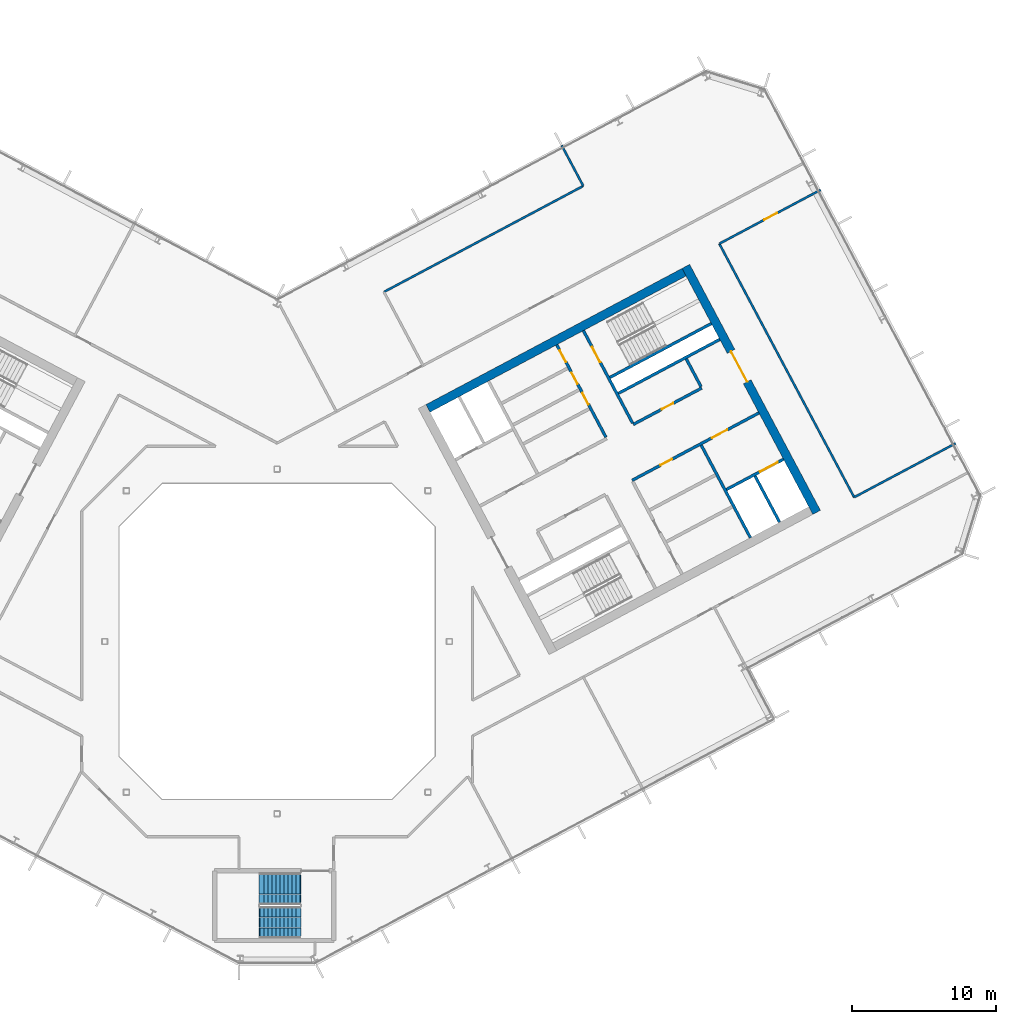
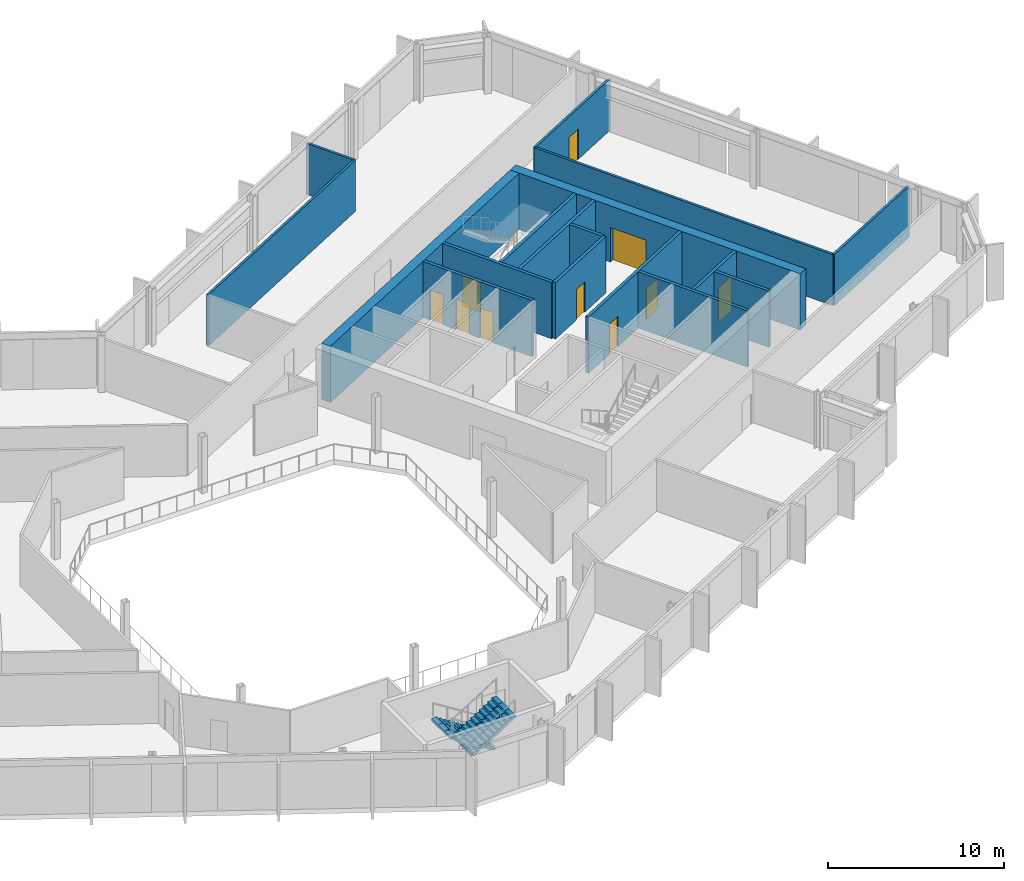
# One storey, part 17 of 27: 17 walls, 10 doors, 2 stair flights, 10 openings, 1 element without a shape of its own.
"""IFC4 building model written with IfcOpenShell, lengths in metres."""

import ifcopenshell
import ifcopenshell.guid

model = None  # the IFC model being written
_history = None  # IfcOwnerHistory: only IFC2X3 demands one
_inside = {}  # id of a spatial element -> (the spatial element, [elements in it])
_under = {}  # id of a project, library or spatial element -> (it, [spatial elements below it])
_declared = {}  # id of a project -> (the project, [libraries it declares])
_typed = {}  # id of a type object -> (the type object, [elements of that type])
_made_of = {}  # id of a material, layer set ... -> (it, [elements and type objects made of it])


def new_model(schema):
    """Start an empty IFC model of exactly this schema.

    Asked for "IFC4X3", IfcOpenShell would pick the latest addendum, in which some entities
    have other attributes; the version numbers below select the first issue.
    IFC2X3 requires an IfcOwnerHistory on every rooted entity: one is made here for all.
    """
    global model, _history
    if schema == "IFC4X3":
        model = ifcopenshell.file(schema_version=(4, 3, 0, 0))
    else:
        model = ifcopenshell.file(schema=schema)
    _inside.clear()
    _under.clear()
    _declared.clear()
    _typed.clear()
    _made_of.clear()
    _history = None
    if model.schema == "IFC2X3":
        org = make("IfcOrganization", Name="unknown")
        user = make(
            "IfcPersonAndOrganization",
            ThePerson=make("IfcPerson", FamilyName="unknown"),
            TheOrganization=org,
        )
        app = make(
            "IfcApplication",
            ApplicationDeveloper=org,
            Version="unknown",
            ApplicationFullName="unknown",
            ApplicationIdentifier="unknown",
        )
        _history = make(
            "IfcOwnerHistory",
            OwningUser=user,
            OwningApplication=app,
            ChangeAction="ADDED",
            CreationDate=0,
        )
    return model


def make(cls, **values):
    """One entity of the class cls with the attributes given. An attribute that is None is left unset."""
    return model.create_entity(
        cls, **{name: value for name, value in values.items() if value is not None}
    )


def rooted(cls, **values):
    """An entity with a GlobalId (a new one), such as an element, a storey or a relation."""
    return make(cls, GlobalId=ifcopenshell.guid.new(), OwnerHistory=_history, **values)


def si_unit(unit_type, name, prefix=None):
    """IfcSIUnit, for example si_unit("LENGTHUNIT", "METRE", prefix="MILLI")."""
    return make("IfcSIUnit", UnitType=unit_type, Prefix=prefix, Name=name)


def assignment(units):
    """IfcUnitAssignment: the units of a project."""
    return None if units is None else make("IfcUnitAssignment", Units=units)


def point(xyz):
    """IfcCartesianPoint."""
    return None if xyz is None else make("IfcCartesianPoint", Coordinates=xyz)


def direction(xyz):
    """IfcDirection."""
    return None if xyz is None else make("IfcDirection", DirectionRatios=xyz)


def frame(location, z_axis=None, x_axis=None):
    """IfcAxis2Placement3D, a coordinate frame: its origin and axes. An axis left out is left unset."""
    return make(
        "IfcAxis2Placement3D",
        Location=point(location),
        Axis=direction(z_axis),
        RefDirection=direction(x_axis),
    )


def frame_2d(location, x_axis=None):
    """IfcAxis2Placement2D, a coordinate frame in the plane: its origin and x axis."""
    return make(
        "IfcAxis2Placement2D", Location=point(location), RefDirection=direction(x_axis)
    )


def origin():
    """The frame at (0, 0, 0) with its axes left unset."""
    return frame((0.0, 0.0, 0.0))


def place(relative_to, where):
    """IfcLocalPlacement: puts the frame where relative to a parent placement (None: the world)."""
    return make(
        "IfcLocalPlacement", PlacementRelTo=relative_to, RelativePlacement=where
    )


def context(
    kind, dimensions, precision=None, world=None, true_north=None, identifier=None
):
    """IfcGeometricRepresentationContext, for example the 3D "Model" context."""
    return make(
        "IfcGeometricRepresentationContext",
        ContextIdentifier=identifier,
        ContextType=kind,
        CoordinateSpaceDimension=dimensions,
        Precision=precision,
        WorldCoordinateSystem=world,
        TrueNorth=true_north,
    )


def subcontext(parent, identifier, kind, view, scale=None):
    """IfcGeometricRepresentationSubContext, for example "Body" below "Model"."""
    return make(
        "IfcGeometricRepresentationSubContext",
        ContextIdentifier=identifier,
        ContextType=kind,
        ParentContext=parent,
        TargetScale=scale,
        TargetView=view,
    )


def project(units=None, contexts=None):
    """IfcProject with its units and contexts."""
    return rooted(
        "IfcProject",
        Name="project",
        RepresentationContexts=contexts,
        UnitsInContext=assignment(units),
    )


def spatial(cls, under=None, at=None, **own):
    """A site, building, storey or space (cls), placed at a placement, below another one or the project."""
    s = rooted(cls, ObjectPlacement=at, **own)
    if under is not None:
        _under.setdefault(under.id(), (under, []))[1].append(s)
    return s


def polyline(points):
    """IfcPolyline through the points."""
    return make("IfcPolyline", Points=[point(p) for p in points])


def profile(cls, at=None, kind="AREA", **sizes):
    """A parametric profile (cls). Its sizes go by their IFC names, for example OverallWidth=200.0."""
    return make(cls, ProfileType=kind, Position=at, **sizes)


def rectangle(**sizes):
    """IfcRectangleProfileDef."""
    return profile("IfcRectangleProfileDef", **sizes)


def outline(outer, holes=None, kind="AREA"):
    """IfcArbitraryClosedProfileDef: a profile drawn as a closed curve; with holes, ...WithVoids."""
    if holes is None:
        return make("IfcArbitraryClosedProfileDef", ProfileType=kind, OuterCurve=outer)
    return make(
        "IfcArbitraryProfileDefWithVoids",
        ProfileType=kind,
        OuterCurve=outer,
        InnerCurves=holes,
    )


def extrude(swept, where, along, depth):
    """IfcExtrudedAreaSolid: the profile swept, set in the frame where, extruded along a direction by depth."""
    return make(
        "IfcExtrudedAreaSolid",
        SweptArea=swept,
        Position=where,
        ExtrudedDirection=direction(along),
        Depth=depth,
    )


def shape(context_of_items, identifier, shape_type, items):
    """IfcShapeRepresentation: the items that make up one representation, for example the "Body"."""
    return make(
        "IfcShapeRepresentation",
        ContextOfItems=context_of_items,
        RepresentationIdentifier=identifier,
        RepresentationType=shape_type,
        Items=items,
    )


def material(Name=None, Category=None):
    """IfcMaterial."""
    return make("IfcMaterial", Name=Name, Category=Category)


def layer(
    of_material, thickness, ventilated=None, Name=None, Category=None, Priority=None
):
    """IfcMaterialLayer: one layer of a wall or slab, of a material (None: an air gap)."""
    return make(
        "IfcMaterialLayer",
        Material=of_material,
        LayerThickness=thickness,
        IsVentilated=ventilated,
        Name=Name,
        Category=Category,
        Priority=Priority,
    )


def layer_set(layers, Name=None):
    """IfcMaterialLayerSet."""
    return make("IfcMaterialLayerSet", MaterialLayers=layers, LayerSetName=Name)


def made_of(thing, what):
    """Note that an element or type object is made of a material, layer set ...; save() writes the relation."""
    if what is not None:
        _made_of.setdefault(what.id(), (what, []))[1].append(thing)
    return thing


def type_object(cls, material=None, **own):
    """A type object (cls), such as IfcWallType, which elements share."""
    return made_of(rooted(cls, **own), material)


def element(
    cls,
    number,
    at=None,
    inside=None,
    cuts=None,
    type_object=None,
    material=None,
    context=None,
    identifier="Body",
    shape_type=None,
    held_by="IfcProductDefinitionShape",
    body=None,
    shapes=None,
    **own,
):
    """One element of the class cls, such as IfcWall. Its Tag is "e" and its number.

    at: its placement. inside: the storey or other place that contains it. cuts: it is an
    opening in that element (IfcRelVoidsElement). A single representation is given by context,
    identifier, shape_type and body (its items); several are given by shapes. held_by: the class
    of the entity that holds the representations. save() writes the other relations.
    """
    e = rooted(cls, Tag="e%d" % number, ObjectPlacement=at, **own)
    if body is not None:
        shapes = [shape(context, identifier, shape_type, body)]
    if shapes is not None:
        e.Representation = make(held_by, Representations=shapes)
    if inside is not None:
        _inside.setdefault(inside.id(), (inside, []))[1].append(e)
    if cuts is not None:
        rooted(
            "IfcRelVoidsElement", RelatingBuildingElement=cuts, RelatedOpeningElement=e
        )
    if type_object is not None:
        _typed.setdefault(type_object.id(), (type_object, []))[1].append(e)
    return made_of(e, material)


def fill(opening, filler):
    """IfcRelFillsElement: the door or window that sits in an opening."""
    return rooted(
        "IfcRelFillsElement",
        RelatingOpeningElement=opening,
        RelatedBuildingElement=filler,
    )


def aggregate(whole, parts):
    """IfcRelAggregates: a whole, such as a stair, and the parts it consists of."""
    return rooted("IfcRelAggregates", RelatingObject=whole, RelatedObjects=parts)


def save(model, path):
    """Write the relations noted so far, then the file.

    IfcRelAggregates (storeys below a building ...), IfcRelContainedInSpatialStructure (elements
    in a storey), IfcRelDefinesByType, IfcRelAssociatesMaterial and IfcRelDeclares: one each for
    every whole, place, type object, material and project.
    """
    for whole, parts in _under.values():
        aggregate(whole, parts)
    for where, things in _inside.values():
        rooted(
            "IfcRelContainedInSpatialStructure",
            RelatedElements=things,
            RelatingStructure=where,
        )
    for kind, things in _typed.values():
        rooted("IfcRelDefinesByType", RelatedObjects=things, RelatingType=kind)
    for what, things in _made_of.values():
        rooted("IfcRelAssociatesMaterial", RelatedObjects=things, RelatingMaterial=what)
    for by, libraries in _declared.values():
        rooted("IfcRelDeclares", RelatingContext=by, RelatedDefinitions=libraries)
    model.write(path)


model = new_model("IFC4")

# Units and contexts
model_context = context("Model", 3, precision=1e-05, world=origin(), true_north=direction((0.0, 1.0)))
body_context = subcontext(model_context, "Body", "Model", "MODEL_VIEW")
ifc_project = project(units=[si_unit("LENGTHUNIT", "METRE"), si_unit("AREAUNIT", "SQUARE_METRE"), si_unit("VOLUMEUNIT", "CUBIC_METRE"), si_unit("PLANEANGLEUNIT", "RADIAN"), si_unit("MASSUNIT", "GRAM", prefix="KILO")], contexts=[model_context])

# Site, building, storey
site_placement = place(None, origin())
site = spatial("IfcSite", under=ifc_project, at=site_placement, CompositionType="ELEMENT")
building_placement = place(site_placement, origin())
building = spatial("IfcBuilding", under=site, at=building_placement, Name="Cormorant Relay Tower", CompositionType="ELEMENT")
storey_placement = place(building_placement, frame((0.0, 0.0, 224.699951171875)))
storey = spatial("IfcBuildingStorey", under=building, at=storey_placement, Name="L49", CompositionType="ELEMENT", Elevation=224.699951171875)

# Wall, openings, doors
ifc_material_1 = material(Name="Concrete 50 MPa", Category="concrete")
ifc_layer_1 = layer(ifc_material_1, 0.199951171875)
ifc_layer_set_1 = layer_set([ifc_layer_1], Name="Core shaft wall 200")
wall_type_1 = type_object("IfcWallType", Name="Core shaft wall 200", PredefinedType="SHEAR", material=ifc_layer_set_1)
wall_1_placement = place(storey_placement, frame((22.90625, 14.218017578125, 0.0), z_axis=(0.0, 0.0, 1.0), x_axis=(-0.469480409012, 0.88294288918, 0.0)))
wall_1 = element("IfcWall", 1, at=wall_1_placement, inside=storey, type_object=wall_type_1, Name="L49 core B shaft wall", PredefinedType="SHEAR", context=body_context, shape_type="SweptSolid", body=[
    extrude(rectangle(XDim=7.300048828125, YDim=0.199951171875, at=frame_2d((3.64990234375, 0.0))), origin(), (0.0, 0.0, 1.0), 3.900146484375),
])
opening_1_placement = place(wall_1_placement, frame((2.60009765625, 0.0, 0.0)))
opening_1 = element("IfcOpeningElement", 2, at=opening_1_placement, cuts=wall_1, Name="Opening CDD-283", PredefinedType="OPENING", context=body_context, shape_type="SweptSolid", body=[
    extrude(rectangle(XDim=0.89990234375, YDim=2.10009765625, at=frame_2d((0.449951171875, 1.050048828125))), frame((0.0, 0.10986328125, 0.0), z_axis=(0.0, -1.0, 0.0), x_axis=(1.0, 0.0, 0.0)), (0.0, 0.0, 1.0), 0.219970703125),
])
opening_2_placement = place(wall_1_placement, frame((4.199951171875, 0.0, 0.0)))
opening_2 = element("IfcOpeningElement", 3, at=opening_2_placement, cuts=wall_1, Name="Opening CDD-284", PredefinedType="OPENING", context=body_context, shape_type="SweptSolid", body=[
    extrude(rectangle(XDim=0.89990234375, YDim=2.10009765625, at=frame_2d((0.449951171875, 1.050048828125))), frame((0.0, 0.10986328125, 0.0), z_axis=(0.0, -1.0, 0.0), x_axis=(1.0, 0.0, 0.0)), (0.0, 0.0, 1.0), 0.219970703125),
])
opening_3_placement = place(wall_1_placement, frame((5.949951171875, 0.0, 0.0)))
opening_3 = element("IfcOpeningElement", 4, at=opening_3_placement, cuts=wall_1, Name="Opening CDD-285", PredefinedType="OPENING", context=body_context, shape_type="SweptSolid", body=[
    extrude(rectangle(XDim=0.89990234375, YDim=2.10009765625, at=frame_2d((0.449951171875, 1.050048828125))), frame((0.0, 0.10986328125, 0.0), z_axis=(0.0, -1.0, 0.0), x_axis=(1.0, 0.0, 0.0)), (0.0, 0.0, 1.0), 0.219970703125),
])
ifc_material_2 = material(Name="Steel fire door", Category="steel")
door_type_1 = type_object("IfcDoorType", Name="Core room door 900x2100", OperationType="SINGLE_SWING_LEFT", PredefinedType="DOOR", material=ifc_material_2)
door_1_placement = place(opening_1_placement, origin())
door_1 = element("IfcDoor", 5, at=door_1_placement, inside=storey, type_object=door_type_1, Name="Core room door 900x2100", OperationType="SINGLE_SWING_RIGHT", OverallHeight=2.10009765625, OverallWidth=0.89990234375, PredefinedType="DOOR", context=body_context, shape_type="SweptSolid", body=[
    extrude(rectangle(XDim=0.89990234375, YDim=2.10009765625, at=frame_2d((0.449951171875, 1.050048828125))), frame((0.0, 0.02490234375, 0.0), z_axis=(0.0, -1.0, 0.0), x_axis=(1.0, 0.0, 0.0)), (0.0, 0.0, 1.0), 0.050048828125),
])
fill(opening_1, door_1)
door_2_placement = place(opening_2_placement, origin())
door_2 = element("IfcDoor", 6, at=door_2_placement, inside=storey, type_object=door_type_1, Name="Core room door 900x2100", OperationType="SINGLE_SWING_RIGHT", OverallHeight=2.10009765625, OverallWidth=0.89990234375, PredefinedType="DOOR", context=body_context, shape_type="SweptSolid", body=[
    extrude(rectangle(XDim=0.89990234375, YDim=2.10009765625, at=frame_2d((0.449951171875, 1.050048828125))), frame((0.0, 0.02490234375, 0.0), z_axis=(0.0, -1.0, 0.0), x_axis=(1.0, 0.0, 0.0)), (0.0, 0.0, 1.0), 0.050048828125),
])
fill(opening_2, door_2)
door_3_placement = place(opening_3_placement, origin())
door_3 = element("IfcDoor", 7, at=door_3_placement, inside=storey, type_object=door_type_1, Name="Core room door 900x2100", OperationType="SINGLE_SWING_LEFT", OverallHeight=2.10009765625, OverallWidth=0.89990234375, PredefinedType="DOOR", context=body_context, shape_type="SweptSolid", body=[
    extrude(rectangle(XDim=0.89990234375, YDim=2.10009765625, at=frame_2d((0.449951171875, 1.050048828125))), frame((0.0, 0.02490234375, 0.0), z_axis=(0.0, -1.0, 0.0), x_axis=(1.0, 0.0, 0.0)), (0.0, 0.0, 1.0), 0.050048828125),
])
fill(opening_3, door_3)

# Wall, opening, door
wall_2_placement = place(storey_placement, frame((24.760498046875, 15.2041015625, 0.0), z_axis=(0.0, 0.0, 1.0), x_axis=(-0.469494272526, 0.882935517501, 0.0)))
wall_2 = element("IfcWall", 8, at=wall_2_placement, inside=storey, type_object=wall_type_1, Name="L49 core B shaft wall", PredefinedType="SHEAR", context=body_context, shape_type="SweptSolid", body=[
    extrude(rectangle(XDim=7.2998046875, YDim=0.199951171875, at=frame_2d((3.64990234375, 0.0))), origin(), (0.0, 0.0, 1.0), 3.900146484375),
])
opening_4_placement = place(wall_2_placement, frame((4.800048828125, 0.0, 0.0)))
opening_4 = element("IfcOpeningElement", 9, at=opening_4_placement, cuts=wall_2, Name="Opening CDB-041", PredefinedType="OPENING", context=body_context, shape_type="SweptSolid", body=[
    extrude(rectangle(XDim=1.199951171875, YDim=2.10009765625, at=frame_2d((0.60009765625, 1.050048828125))), frame((0.0, 0.10986328125, 0.0), z_axis=(0.0, -1.0, 0.0), x_axis=(1.0, 0.0, 0.0)), (0.0, 0.0, 1.0), 0.219970703125),
])
ifc_material_3 = material(Name="Steel fire door", Category="steel")
door_type_2 = type_object("IfcDoorType", Name="Core stair door 1200x2100", OperationType="SINGLE_SWING_LEFT", PredefinedType="DOOR", material=ifc_material_3)
door_4_placement = place(opening_4_placement, frame((1.199951171875, 0.0, 0.0), z_axis=(0.0, 0.0, 1.0), x_axis=(-1.0, 0.0, 0.0)))
door_4 = element("IfcDoor", 10, at=door_4_placement, inside=storey, type_object=door_type_2, Name="Core stair door 1200x2100", OperationType="SINGLE_SWING_RIGHT", OverallHeight=2.10009765625, OverallWidth=1.199951171875, PredefinedType="DOOR", context=body_context, shape_type="SweptSolid", body=[
    extrude(rectangle(XDim=1.199951171875, YDim=2.10009765625, at=frame_2d((0.60009765625, 1.050048828125))), frame((0.0, 0.02490234375, 0.0), z_axis=(0.0, -1.0, 0.0), x_axis=(1.0, 0.0, 0.0)), (0.0, 0.0, 1.0), 0.050048828125),
])
fill(opening_4, door_4)

# Walls
wall_3_placement = place(storey_placement, frame((32.968017578125, 7.222900390625, 0.0), z_axis=(0.0, 0.0, 1.0), x_axis=(-0.469480409012, 0.88294288918, 0.0)))
element("IfcWall", 11, at=wall_3_placement, inside=storey, type_object=wall_type_1, Name="L49 core B shaft wall", PredefinedType="SHEAR", context=body_context, shape_type="SweptSolid", body=[
    extrude(rectangle(XDim=7.300048828125, YDim=0.199951171875, at=frame_2d((3.64990234375, 0.0))), origin(), (0.0, 0.0, 1.0), 3.900146484375),
])
wall_4_placement = place(storey_placement, frame((29.5283203125, 17.739013671875, 0.0), z_axis=(0.0, 0.0, 1.0), x_axis=(-0.469401318492, 0.882984938828, 0.0)))
element("IfcWall", 12, at=wall_4_placement, inside=storey, type_object=wall_type_1, Name="L49 core B shaft wall", PredefinedType="SHEAR", context=body_context, shape_type="SweptSolid", body=[
    extrude(rectangle(XDim=2.199951171875, YDim=0.199951171875, at=frame_2d((1.10009765625, 0.0))), origin(), (0.0, 0.0, 1.0), 3.900146484375),
])
wall_5_placement = place(storey_placement, frame((34.998779296875, 8.302734375, 0.0), z_axis=(0.0, 0.0, 1.0), x_axis=(-0.4694665462, 0.882950260207, 0.0)))
element("IfcWall", 13, at=wall_5_placement, inside=storey, type_object=wall_type_1, Name="L49 core B shaft wall", PredefinedType="SHEAR", context=body_context, shape_type="SweptSolid", body=[
    extrude(rectangle(XDim=3.650146484375, YDim=0.199951171875, at=frame_2d((1.8251953125, 0.0))), origin(), (0.0, 0.0, 1.0), 3.900146484375),
])

# Wall, opening, door
wall_6_placement = place(storey_placement, frame((31.295654296875, 10.5810546875, 0.0), z_axis=(0.0, 0.0, 1.0), x_axis=(0.882960433586, 0.469447412093, 0.0)))
wall_6 = element("IfcWall", 14, at=wall_6_placement, inside=storey, type_object=wall_type_1, Name="L49 core B shaft wall", PredefinedType="SHEAR", context=body_context, shape_type="SweptSolid", body=[
    extrude(rectangle(XDim=4.5, YDim=0.199951171875, at=frame_2d((2.25, 0.0))), origin(), (0.0, 0.0, 1.0), 3.900146484375),
])
opening_5_placement = place(wall_6_placement, frame((2.64990234375, 0.0, 0.0)))
opening_5 = element("IfcOpeningElement", 15, at=opening_5_placement, cuts=wall_6, Name="Opening LD3-016", PredefinedType="OPENING", context=body_context, shape_type="SweptSolid", body=[
    extrude(rectangle(XDim=1.39990234375, YDim=2.39990234375, at=frame_2d((0.699951171875, 1.199951171875))), frame((0.0, 0.10986328125, 0.0), z_axis=(0.0, -1.0, 0.0), x_axis=(1.0, 0.0, 0.0)), (0.0, 0.0, 1.0), 0.219970703125),
])
ifc_material_4 = material(Name="Stainless steel 316", Category="steel")
door_type_3 = type_object("IfcDoorType", Name="Lift landing door 1400x2400", OperationType="DOUBLE_DOOR_SLIDING", PredefinedType="DOOR", material=ifc_material_4)
door_5_placement = place(opening_5_placement, origin())
door_5 = element("IfcDoor", 16, at=door_5_placement, inside=storey, type_object=door_type_3, Name="SV2 landing door", OperationType="DOUBLE_DOOR_SLIDING", OverallHeight=2.39990234375, OverallWidth=1.39990234375, PredefinedType="DOOR", context=body_context, shape_type="SweptSolid", body=[
    extrude(rectangle(XDim=1.39990234375, YDim=2.39990234375, at=frame_2d((0.699951171875, 1.199951171875))), frame((0.0, 0.02490234375, 0.0), z_axis=(0.0, -1.0, 0.0), x_axis=(1.0, 0.0, 0.0)), (0.0, 0.0, 1.0), 0.050048828125),
])
fill(opening_5, door_5)

# Wall, openings, doors
wall_7_placement = place(storey_placement, frame((24.72607421875, 11.2216796875, 0.0), z_axis=(0.0, 0.0, 1.0), x_axis=(0.882940221191, 0.469485426614, 0.0)))
wall_7 = element("IfcWall", 17, at=wall_7_placement, inside=storey, type_object=wall_type_1, Name="L49 core B shaft wall", PredefinedType="SHEAR", context=body_context, shape_type="SweptSolid", body=[
    extrude(rectangle(XDim=10.0, YDim=0.199951171875, at=frame_2d((5.0, 0.0))), origin(), (0.0, 0.0, 1.0), 3.900146484375),
])
opening_6_placement = place(wall_7_placement, frame((6.300048828125, 0.0, 0.0)))
opening_6 = element("IfcOpeningElement", 18, at=opening_6_placement, cuts=wall_7, Name="Opening CDC-038", PredefinedType="OPENING", context=body_context, shape_type="SweptSolid", body=[
    extrude(rectangle(XDim=1.199951171875, YDim=2.10009765625, at=frame_2d((0.60009765625, 1.050048828125))), frame((0.0, 0.10986328125, 0.0), z_axis=(0.0, -1.0, 0.0), x_axis=(1.0, 0.0, 0.0)), (0.0, 0.0, 1.0), 0.219970703125),
])
opening_7_placement = place(wall_7_placement, frame((2.25, 0.0, 0.0)))
opening_7 = element("IfcOpeningElement", 19, at=opening_7_placement, cuts=wall_7, Name="Opening CDD-263", PredefinedType="OPENING", context=body_context, shape_type="SweptSolid", body=[
    extrude(rectangle(XDim=0.89990234375, YDim=2.10009765625, at=frame_2d((0.449951171875, 1.050048828125))), frame((0.0, 0.10986328125, 0.0), z_axis=(0.0, -1.0, 0.0), x_axis=(1.0, 0.0, 0.0)), (0.0, 0.0, 1.0), 0.219970703125),
])
ifc_material_5 = material(Name="Steel fire door", Category="steel")
door_type_4 = type_object("IfcDoorType", Name="Core lobby door 1200x2100", OperationType="SINGLE_SWING_LEFT", PredefinedType="DOOR", material=ifc_material_5)
door_6_placement = place(opening_6_placement, origin())
door_6 = element("IfcDoor", 20, at=door_6_placement, inside=storey, type_object=door_type_4, Name="Core lobby door 1200x2100", OperationType="SINGLE_SWING_LEFT", OverallHeight=2.10009765625, OverallWidth=1.199951171875, PredefinedType="DOOR", context=body_context, shape_type="SweptSolid", body=[
    extrude(rectangle(XDim=1.199951171875, YDim=2.10009765625, at=frame_2d((0.60009765625, 1.050048828125))), frame((0.0, 0.02490234375, 0.0), z_axis=(0.0, -1.0, 0.0), x_axis=(1.0, 0.0, 0.0)), (0.0, 0.0, 1.0), 0.050048828125),
])
fill(opening_6, door_6)
door_7_placement = place(opening_7_placement, frame((0.89990234375, 0.0, 0.0), z_axis=(0.0, 0.0, 1.0), x_axis=(-1.0, 0.0, 0.0)))
door_7 = element("IfcDoor", 21, at=door_7_placement, inside=storey, type_object=door_type_1, Name="Core room door 900x2100", OperationType="SINGLE_SWING_RIGHT", OverallHeight=2.10009765625, OverallWidth=0.89990234375, PredefinedType="DOOR", context=body_context, shape_type="SweptSolid", body=[
    extrude(rectangle(XDim=0.89990234375, YDim=2.10009765625, at=frame_2d((0.449951171875, 1.050048828125))), frame((0.0, 0.02490234375, 0.0), z_axis=(0.0, -1.0, 0.0), x_axis=(1.0, 0.0, 0.0)), (0.0, 0.0, 1.0), 0.050048828125),
])
fill(opening_7, door_7)

# Wall, opening, door
wall_8_placement = place(storey_placement, frame((24.807373046875, 15.11572265625, 0.0), z_axis=(0.0, 0.0, 1.0), x_axis=(0.882942972946, 0.469480251476, 0.0)))
wall_8 = element("IfcWall", 22, at=wall_8_placement, inside=storey, type_object=wall_type_1, Name="L49 core B shaft wall", PredefinedType="SHEAR", context=body_context, shape_type="SweptSolid", body=[
    extrude(rectangle(XDim=5.39990234375, YDim=0.199951171875, at=frame_2d((2.699951171875, 0.0))), origin(), (0.0, 0.0, 1.0), 3.900146484375),
])
opening_8_placement = place(wall_8_placement, frame((2.25, 0.0, 0.0)))
opening_8 = element("IfcOpeningElement", 23, at=opening_8_placement, cuts=wall_8, Name="Opening CDD-261", PredefinedType="OPENING", context=body_context, shape_type="SweptSolid", body=[
    extrude(rectangle(XDim=0.89990234375, YDim=2.10009765625, at=frame_2d((0.449951171875, 1.050048828125))), frame((0.0, 0.10986328125, 0.0), z_axis=(0.0, -1.0, 0.0), x_axis=(1.0, 0.0, 0.0)), (0.0, 0.0, 1.0), 0.219970703125),
])
door_8_placement = place(opening_8_placement, origin())
door_8 = element("IfcDoor", 24, at=door_8_placement, inside=storey, type_object=door_type_1, Name="Core room door 900x2100", OperationType="SINGLE_SWING_LEFT", OverallHeight=2.10009765625, OverallWidth=0.89990234375, PredefinedType="DOOR", context=body_context, shape_type="SweptSolid", body=[
    extrude(rectangle(XDim=0.89990234375, YDim=2.10009765625, at=frame_2d((0.449951171875, 1.050048828125))), frame((0.0, 0.02490234375, 0.0), z_axis=(0.0, -1.0, 0.0), x_axis=(1.0, 0.0, 0.0)), (0.0, 0.0, 1.0), 0.050048828125),
])
fill(opening_8, door_8)

# Walls
wall_9_placement = place(storey_placement, frame((23.76904296875, 17.28173828125, 0.0), z_axis=(0.0, 0.0, 1.0), x_axis=(0.882940221191, 0.469485426614, 0.0)))
element("IfcWall", 25, at=wall_9_placement, inside=storey, type_object=wall_type_1, Name="L49 core B shaft wall", PredefinedType="SHEAR", context=body_context, shape_type="SweptSolid", body=[
    extrude(rectangle(XDim=8.0, YDim=0.199951171875, at=frame_2d((4.0, 0.0))), origin(), (0.0, 0.0, 1.0), 3.900146484375),
])
wall_10_placement = place(storey_placement, frame((23.18212890625, 18.385498046875, 0.0), z_axis=(0.0, 0.0, 1.0), x_axis=(0.88295287151, 0.469461634952, 0.0)))
element("IfcWall", 26, at=wall_10_placement, inside=storey, type_object=wall_type_1, Name="L49 core B shaft wall", PredefinedType="SHEAR", context=body_context, shape_type="SweptSolid", body=[
    extrude(rectangle(XDim=7.999755859375, YDim=0.199951171875, at=frame_2d((4.0, 0.0))), origin(), (0.0, 0.0, 1.0), 3.900146484375),
])

# Wall, opening, door
ifc_material_6 = material(Name="Concrete 50 MPa", Category="concrete")
ifc_layer_2 = layer(ifc_material_6, 0.60009765625)
ifc_layer_set_2 = layer_set([ifc_layer_2], Name="Core wall 600")
wall_type_2 = type_object("IfcWallType", Name="Core wall 600", PredefinedType="SHEAR", material=ifc_layer_set_2)
wall_11_placement = place(storey_placement, frame((37.576171875, 8.99365234375, 0.0), z_axis=(0.0, 0.0, 1.0), x_axis=(-0.469478769487, 0.88294376095, 0.0)))
wall_11 = element("IfcWall", 27, at=wall_11_placement, inside=storey, type_object=wall_type_2, Name="L49 core B wall", PredefinedType="SHEAR", context=body_context, shape_type="SweptSolid", body=[
    extrude(rectangle(XDim=19.400146484375, YDim=0.60009765625, at=frame_2d((9.7001953125, 0.0))), origin(), (0.0, 0.0, 1.0), 3.900146484375),
])
opening_9_placement = place(wall_11_placement, frame((10.300048828125, 0.0, 0.0)))
opening_9 = element("IfcOpeningElement", 28, at=opening_9_placement, cuts=wall_11, Name="Opening CDA-043", PredefinedType="OPENING", context=body_context, shape_type="SweptSolid", body=[
    extrude(rectangle(XDim=2.39990234375, YDim=2.39990234375, at=frame_2d((1.199951171875, 1.199951171875))), frame((0.0, 0.31005859375, 0.0), z_axis=(0.0, -1.0, 0.0), x_axis=(1.0, 0.0, 0.0)), (0.0, 0.0, 1.0), 0.6201171875),
])
ifc_material_7 = material(Name="Steel fire door", Category="steel")
door_type_5 = type_object("IfcDoorType", Name="Core lobby door 2400x2400", OperationType="DOUBLE_DOOR_SINGLE_SWING", PredefinedType="DOOR", material=ifc_material_7)
door_9_placement = place(opening_9_placement, origin())
door_9 = element("IfcDoor", 29, at=door_9_placement, inside=storey, type_object=door_type_5, Name="Core lobby door 2400x2400", OperationType="DOUBLE_DOOR_SINGLE_SWING", OverallHeight=2.39990234375, OverallWidth=2.39990234375, PredefinedType="DOOR", context=body_context, shape_type="SweptSolid", body=[
    extrude(rectangle(XDim=2.39990234375, YDim=2.39990234375, at=frame_2d((1.199951171875, 1.199951171875))), frame((0.0, 0.02490234375, 0.0), z_axis=(0.0, -1.0, 0.0), x_axis=(1.0, 0.0, 0.0)), (0.0, 0.0, 1.0), 0.050048828125),
])
fill(opening_9, door_9)

# Wall
wall_12_placement = place(storey_placement, frame((10.5087890625, 16.23388671875, 0.0), z_axis=(0.0, 0.0, 1.0), x_axis=(0.88295010195, 0.469466843842, 0.0)))
element("IfcWall", 30, at=wall_12_placement, inside=storey, type_object=wall_type_2, Name="L49 core B wall", PredefinedType="SHEAR", context=body_context, shape_type="SweptSolid", body=[
    extrude(rectangle(XDim=20.199951171875, YDim=0.60009765625, at=frame_2d((10.10009765625, 0.0))), origin(), (0.0, 0.0, 1.0), 3.900146484375),
])

# Wall, opening, door
ifc_material_8 = material(Name="Gypsum board fire partition")
ifc_layer_3 = layer(ifc_material_8, 0.14990234375)
ifc_layer_set_3 = layer_set([ifc_layer_3], Name="Corridor partition 150 EI 60")
wall_type_3 = type_object("IfcWallType", Name="Corridor partition 150 EI 60", PredefinedType="PARTITIONING", material=ifc_layer_set_3)
wall_13_placement = place(storey_placement, frame((37.863037109375, 31.4580078125, 0.0), z_axis=(0.0, 0.0, 1.0), x_axis=(-0.882914115089, -0.469534519898, 0.0)))
wall_13 = element("IfcWall", 31, at=wall_13_placement, inside=storey, type_object=wall_type_3, Name="wall/L49/part/039", PredefinedType="PARTITIONING", context=body_context, shape_type="SweptSolid", body=[
    extrude(rectangle(XDim=7.99951171875, YDim=0.14990234375, at=frame_2d((3.999755859375, 0.0))), origin(), (0.0, 0.0, 1.0), 3.5400390625),
])
opening_10_placement = place(wall_13_placement, frame((3.450927734375, 0.0, 0.0)))
opening_10 = element("IfcOpeningElement", 32, at=opening_10_placement, cuts=wall_13, Name="Opening DS-137", PredefinedType="OPENING", context=body_context, shape_type="SweptSolid", body=[
    extrude(rectangle(XDim=1.0, YDim=2.10009765625, at=frame_2d((0.5, 1.050048828125))), frame((0.0, 0.0849609375, 0.0), z_axis=(0.0, -1.0, 0.0), x_axis=(1.0, 0.0, 0.0)), (0.0, 0.0, 1.0), 0.169921875),
])
ifc_material_9 = material(Name="Timber door leaf", Category="wood")
door_type_6 = type_object("IfcDoorType", Name="Suite door 1000x2100", OperationType="SINGLE_SWING_LEFT", PredefinedType="DOOR", material=ifc_material_9)
door_10_placement = place(opening_10_placement, origin())
door_10 = element("IfcDoor", 33, at=door_10_placement, inside=storey, type_object=door_type_6, Name="door/L49/019", OperationType="SINGLE_SWING_RIGHT", OverallHeight=2.10009765625, OverallWidth=1.0, PredefinedType="DOOR", context=body_context, shape_type="SweptSolid", body=[
    extrude(rectangle(XDim=1.0, YDim=2.10009765625, at=frame_2d((0.5, 1.050048828125))), frame((0.0, 0.02490234375, 0.0), z_axis=(0.0, -1.0, 0.0), x_axis=(1.0, 0.0, 0.0)), (0.0, 0.0, 1.0), 0.050048828125),
])
fill(opening_10, door_10)

# Walls
wall_14_placement = place(storey_placement, frame((30.800048828125, 27.701904296875, 0.0), z_axis=(0.0, 0.0, 1.0), x_axis=(0.469451816494, -0.882958091865, 0.0)))
element("IfcWall", 34, at=wall_14_placement, inside=storey, type_object=wall_type_3, Name="wall/L49/part/040", PredefinedType="PARTITIONING", context=body_context, shape_type="SweptSolid", body=[
    extrude(rectangle(XDim=19.999755859375, YDim=0.14990234375, at=frame_2d((10.0, 0.0))), origin(), (0.0, 0.0, 1.0), 3.5400390625),
])
wall_15_placement = place(storey_placement, frame((40.18896484375, 10.04296875, 0.0), z_axis=(0.0, 0.0, 1.0), x_axis=(0.882991619958, 0.469388750487, 0.0)))
element("IfcWall", 35, at=wall_15_placement, inside=storey, type_object=wall_type_3, Name="wall/L49/part/041", PredefinedType="PARTITIONING", context=body_context, shape_type="SweptSolid", body=[
    extrude(rectangle(XDim=8.0, YDim=0.14990234375, at=frame_2d((4.0, 0.0))), origin(), (0.0, 0.0, 1.0), 3.5400390625),
])
ifc_material_10 = material(Name="Gypsum board partition")
ifc_layer_4 = layer(ifc_material_10, 0.14990234375)
ifc_layer_set_4 = layer_set([ifc_layer_4], Name="Tenant partition 150")
wall_type_4 = type_object("IfcWallType", Name="Tenant partition 150", PredefinedType="PARTITIONING", material=ifc_layer_set_4)
wall_16_placement = place(storey_placement, frame((19.822021484375, 34.550048828125, 0.0), z_axis=(0.0, 0.0, 1.0), x_axis=(0.469320691295, -0.883027796121, 0.0)))
element("IfcWall", 36, at=wall_16_placement, inside=storey, type_object=wall_type_4, Name="wall/L49/part/031", PredefinedType="PARTITIONING", context=body_context, shape_type="SweptSolid", body=[
    extrude(rectangle(XDim=3.2001953125, YDim=0.14990234375, at=frame_2d((1.60009765625, 0.0))), origin(), (0.0, 0.0, 1.0), 3.5400390625),
])
wall_17_placement = place(storey_placement, frame((7.443115234375, 24.343017578125, 0.0), z_axis=(0.0, 0.0, 1.0), x_axis=(0.882933890587, 0.469497332104, 0.0)))
element("IfcWall", 37, at=wall_17_placement, inside=storey, type_object=wall_type_4, Name="wall/L49/part/033", PredefinedType="PARTITIONING", context=body_context, shape_type="SweptSolid", body=[
    extrude(rectangle(XDim=15.72119140625, YDim=0.14990234375, at=frame_2d((7.860595703125, 0.0))), origin(), (0.0, 0.0, 1.0), 3.5400390625),
])

# Stair, stair flights
ifc_material_11 = material(Name="Concrete 40 MPa", Category="concrete")
stair_type = type_object("IfcStairType", Name="Remote exit stair 2200", PredefinedType="HALF_TURN_STAIR", material=ifc_material_11)
stair_placement = place(storey_placement, origin())
stair = element("IfcStair", 38, at=stair_placement, inside=storey, type_object=stair_type, Name="L49 Stair", PredefinedType="HALF_TURN_STAIR")
ifc_material_12 = material(Name="Concrete 40 MPa", Category="concrete")
stair_flight_type = type_object("IfcStairFlightType", Name="Remote exit stair flight 2200", PredefinedType="STRAIGHT", material=ifc_material_12)
stair_flight_1_placement = place(storey_placement, frame((1.60009765625, -17.22509765625, 0.0), z_axis=(0.0, 0.0, 1.0), x_axis=(-1.0, 0.0, 0.0)))
stair_flight_1 = element("IfcStairFlight", 39, at=stair_flight_1_placement, type_object=stair_flight_type, Name="RK1 flight 1", NumberOfRisers=11, NumberOfTreads=10, PredefinedType="STRAIGHT", RiserHeight=0.177272727, TreadLength=0.28, context=body_context, shape_type="SweptSolid", body=[
    extrude(outline(polyline([(-0.050048828125, -0.080078125), (-0.050048828125, 0.0), (0.0, 0.0), (0.0, 0.17724609375), (0.280029296875, 0.17724609375), (0.280029296875, 0.3544921875), (0.56005859375, 0.3544921875), (0.56005859375, 0.53173828125), (0.840087890625, 0.53173828125), (0.840087890625, 0.708984375), (1.1201171875, 0.708984375), (1.1201171875, 0.886474609375), (1.39990234375, 0.886474609375), (1.39990234375, 1.063720703125), (1.679931640625, 1.063720703125), (1.679931640625, 1.240966796875), (1.9599609375, 1.240966796875), (1.9599609375, 1.418212890625), (2.239990234375, 1.418212890625), (2.239990234375, 1.595458984375), (2.52001953125, 1.595458984375), (2.52001953125, 1.772705078125), (2.800048828125, 1.772705078125), (2.85009765625, 1.772705078125), (2.85009765625, 1.59521484375), (2.800048828125, 1.59521484375), (0.2802734375, 0.0), (-0.050048828125, -0.080078125)])), frame((0.0, 1.10009765625, 0.0), z_axis=(0.0, -1.0, 0.0), x_axis=(1.0, 0.0, 0.0)), (0.0, 0.0, 1.0), 0.719970703125),
    extrude(outline(polyline([(-0.050048828125, -0.080078125), (-0.050048828125, 0.0), (0.0, 0.0), (0.0, 0.17724609375), (0.280029296875, 0.17724609375), (0.280029296875, 0.3544921875), (0.56005859375, 0.3544921875), (0.56005859375, 0.53173828125), (0.840087890625, 0.53173828125), (0.840087890625, 0.708984375), (1.1201171875, 0.708984375), (1.1201171875, 0.886474609375), (1.39990234375, 0.886474609375), (1.39990234375, 1.063720703125), (1.679931640625, 1.063720703125), (1.679931640625, 1.240966796875), (1.9599609375, 1.240966796875), (1.9599609375, 1.418212890625), (2.239990234375, 1.418212890625), (2.239990234375, 1.595458984375), (2.52001953125, 1.595458984375), (2.52001953125, 1.772705078125), (2.800048828125, 1.772705078125), (2.85009765625, 1.772705078125), (2.85009765625, 1.59521484375), (2.800048828125, 1.59521484375), (0.2802734375, 0.0), (-0.050048828125, -0.080078125)])), frame((0.0, 0.360107421875, 0.0), z_axis=(0.0, -1.0, 0.0), x_axis=(1.0, 0.0, 0.0)), (0.0, 0.0, 1.0), 0.719970703125),
    extrude(outline(polyline([(-0.050048828125, -0.080078125), (-0.050048828125, 0.0), (0.0, 0.0), (0.0, 0.17724609375), (0.280029296875, 0.17724609375), (0.280029296875, 0.3544921875), (0.56005859375, 0.3544921875), (0.56005859375, 0.53173828125), (0.840087890625, 0.53173828125), (0.840087890625, 0.708984375), (1.1201171875, 0.708984375), (1.1201171875, 0.886474609375), (1.39990234375, 0.886474609375), (1.39990234375, 1.063720703125), (1.679931640625, 1.063720703125), (1.679931640625, 1.240966796875), (1.9599609375, 1.240966796875), (1.9599609375, 1.418212890625), (2.239990234375, 1.418212890625), (2.239990234375, 1.595458984375), (2.52001953125, 1.595458984375), (2.52001953125, 1.772705078125), (2.800048828125, 1.772705078125), (2.85009765625, 1.772705078125), (2.85009765625, 1.59521484375), (2.800048828125, 1.59521484375), (0.2802734375, 0.0), (-0.050048828125, -0.080078125)])), frame((0.0, -0.3798828125, 0.0), z_axis=(0.0, -1.0, 0.0), x_axis=(1.0, 0.0, 0.0)), (0.0, 0.0, 1.0), 0.719970703125),
])
stair_flight_2_placement = place(storey_placement, frame((-1.199951171875, -19.574951171875, 1.949951171875), z_axis=(0.0, 0.0, 1.0), x_axis=(1.0, 0.0, 0.0)))
stair_flight_2 = element("IfcStairFlight", 40, at=stair_flight_2_placement, type_object=stair_flight_type, Name="RK1 flight 2", NumberOfRisers=11, NumberOfTreads=10, PredefinedType="STRAIGHT", RiserHeight=0.177272727, TreadLength=0.28, context=body_context, shape_type="SweptSolid", body=[
    extrude(outline(polyline([(-0.050048828125, -0.080078125), (-0.050048828125, 0.0), (0.0, 0.0), (0.0, 0.17724609375), (0.280029296875, 0.17724609375), (0.280029296875, 0.3544921875), (0.56005859375, 0.3544921875), (0.56005859375, 0.53173828125), (0.840087890625, 0.53173828125), (0.840087890625, 0.708984375), (1.1201171875, 0.708984375), (1.1201171875, 0.886474609375), (1.39990234375, 0.886474609375), (1.39990234375, 1.063720703125), (1.679931640625, 1.063720703125), (1.679931640625, 1.240966796875), (1.9599609375, 1.240966796875), (1.9599609375, 1.418212890625), (2.239990234375, 1.418212890625), (2.239990234375, 1.595458984375), (2.52001953125, 1.595458984375), (2.52001953125, 1.772705078125), (2.800048828125, 1.772705078125), (2.85009765625, 1.772705078125), (2.85009765625, 1.59521484375), (2.800048828125, 1.59521484375), (0.2802734375, 0.0), (-0.050048828125, -0.080078125)])), frame((0.0, 1.10009765625, 0.0), z_axis=(0.0, -1.0, 0.0), x_axis=(1.0, 0.0, 0.0)), (0.0, 0.0, 1.0), 0.719970703125),
    extrude(outline(polyline([(-0.050048828125, -0.080078125), (-0.050048828125, 0.0), (0.0, 0.0), (0.0, 0.17724609375), (0.280029296875, 0.17724609375), (0.280029296875, 0.3544921875), (0.56005859375, 0.3544921875), (0.56005859375, 0.53173828125), (0.840087890625, 0.53173828125), (0.840087890625, 0.708984375), (1.1201171875, 0.708984375), (1.1201171875, 0.886474609375), (1.39990234375, 0.886474609375), (1.39990234375, 1.063720703125), (1.679931640625, 1.063720703125), (1.679931640625, 1.240966796875), (1.9599609375, 1.240966796875), (1.9599609375, 1.418212890625), (2.239990234375, 1.418212890625), (2.239990234375, 1.595458984375), (2.52001953125, 1.595458984375), (2.52001953125, 1.772705078125), (2.800048828125, 1.772705078125), (2.85009765625, 1.772705078125), (2.85009765625, 1.59521484375), (2.800048828125, 1.59521484375), (0.2802734375, 0.0), (-0.050048828125, -0.080078125)])), frame((0.0, 0.360107421875, 0.0), z_axis=(0.0, -1.0, 0.0), x_axis=(1.0, 0.0, 0.0)), (0.0, 0.0, 1.0), 0.719970703125),
    extrude(outline(polyline([(-0.050048828125, -0.080078125), (-0.050048828125, 0.0), (0.0, 0.0), (0.0, 0.17724609375), (0.280029296875, 0.17724609375), (0.280029296875, 0.3544921875), (0.56005859375, 0.3544921875), (0.56005859375, 0.53173828125), (0.840087890625, 0.53173828125), (0.840087890625, 0.708984375), (1.1201171875, 0.708984375), (1.1201171875, 0.886474609375), (1.39990234375, 0.886474609375), (1.39990234375, 1.063720703125), (1.679931640625, 1.063720703125), (1.679931640625, 1.240966796875), (1.9599609375, 1.240966796875), (1.9599609375, 1.418212890625), (2.239990234375, 1.418212890625), (2.239990234375, 1.595458984375), (2.52001953125, 1.595458984375), (2.52001953125, 1.772705078125), (2.800048828125, 1.772705078125), (2.85009765625, 1.772705078125), (2.85009765625, 1.59521484375), (2.800048828125, 1.59521484375), (0.2802734375, 0.0), (-0.050048828125, -0.080078125)])), frame((0.0, -0.3798828125, 0.0), z_axis=(0.0, -1.0, 0.0), x_axis=(1.0, 0.0, 0.0)), (0.0, 0.0, 1.0), 0.719970703125),
])
aggregate(stair, [stair_flight_1, stair_flight_2])

save(model, "model.ifc")
